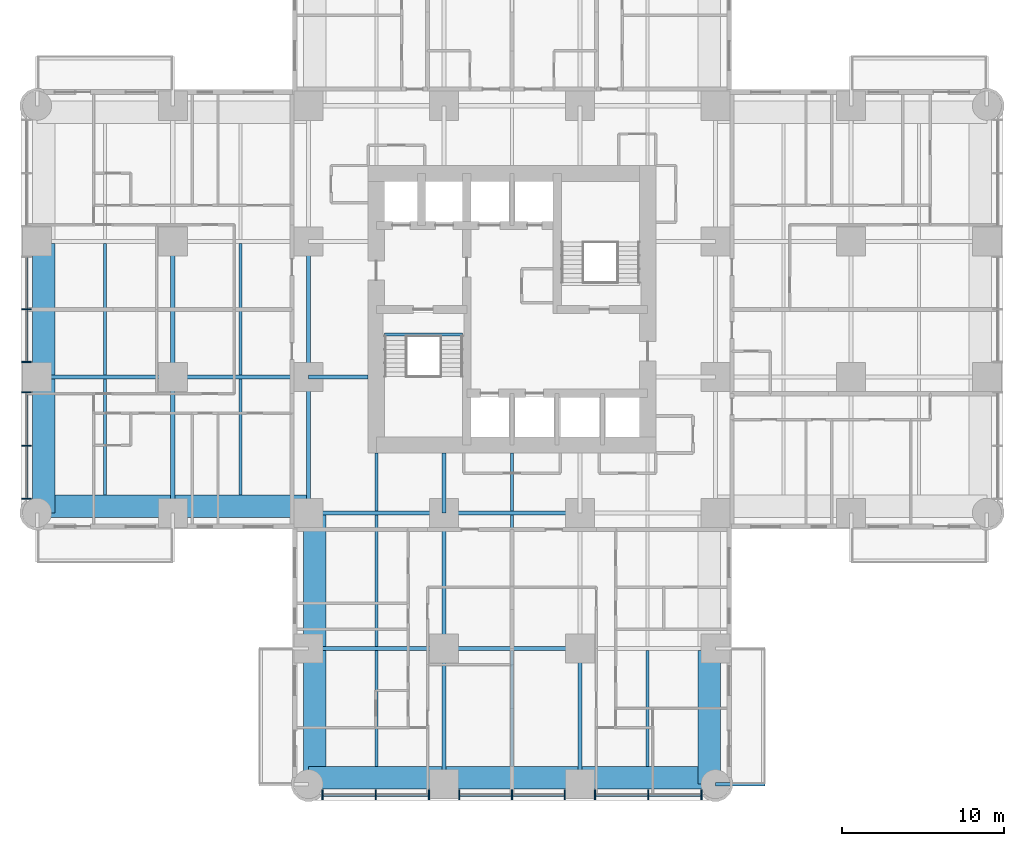
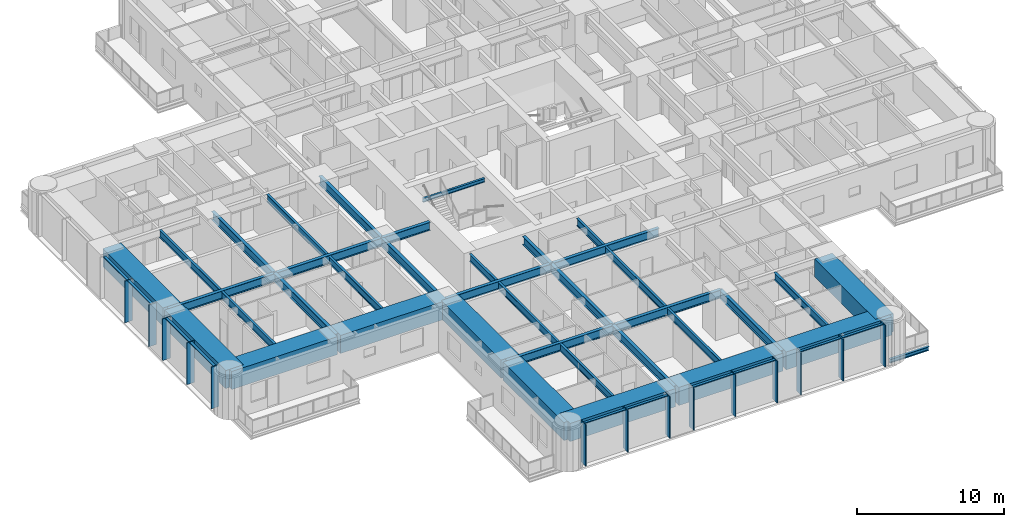
# One storey, part 2 of 17: 38 beams, 24 members, 2 elements without a shape of their own.
"""IFC4 building model written with IfcOpenShell, lengths in metres."""

from ifc_helpers import new_model, si_unit, direction, frame, origin, origin_2d, place, context, subcontext, project, spatial, rectangle, i_section, extrude, material, material_profile, profile_set, type_object, element, aggregate, save


model = new_model("IFC4")

# Units and contexts
model_context = context("Model", 3, precision=1e-05, world=origin(), true_north=direction((0.0, 1.0)))
body_context = subcontext(model_context, "Body", "Model", "MODEL_VIEW")
ifc_project = project(units=[si_unit("LENGTHUNIT", "METRE"), si_unit("AREAUNIT", "SQUARE_METRE"), si_unit("VOLUMEUNIT", "CUBIC_METRE"), si_unit("PLANEANGLEUNIT", "RADIAN"), si_unit("MASSUNIT", "GRAM", prefix="KILO")], contexts=[model_context])

# Site, building, storey
site_placement = place(None, origin())
site = spatial("IfcSite", under=ifc_project, at=site_placement, CompositionType="ELEMENT")
building_placement = place(site_placement, origin())
building = spatial("IfcBuilding", under=site, at=building_placement, Name="Torre Alcanfor", CompositionType="ELEMENT")
storey_placement = place(building_placement, frame((0.0, 0.0, 92.10009765625)))
storey = spatial("IfcBuildingStorey", under=building, at=storey_placement, Name="L23", CompositionType="ELEMENT", Elevation=92.10009765625)

# Beam
ifc_material_1 = material(Name="Steel ASTM A992 Grade 50", Category="steel")
ifc_material_profile_1 = material_profile(ifc_material_1, i_section(OverallWidth=0.205322265625, OverallDepth=0.309814453125, WebThickness=0.00927734375, FlangeThickness=0.016357421875, at=origin_2d()), Name="W12x50")
ifc_profile_set_1 = profile_set([ifc_material_profile_1], Name="Steel ASTM A992 Grade 50")
beam_type_1 = type_object("IfcBeamType", Name="Balcony cantilever beam W12x50", PredefinedType="BEAM", material=ifc_profile_set_1)
beam_1_placement = place(storey_placement, frame((42.0, 0.0, -0.35498046875), z_axis=(1.0, 0.0, 0.0), x_axis=(0.0, 1.0, 0.0)))
element("IfcBeam", 1, at=beam_1_placement, inside=storey, type_object=beam_type_1, Name="Balcony cantilever beam L23-S1 2", PredefinedType="BEAM", context=body_context, shape_type="SweptSolid", body=[
    extrude(i_section(OverallWidth=0.205322265625, OverallDepth=0.309814453125, WebThickness=0.00927734375, FlangeThickness=0.016357421875, at=origin_2d()), origin(), (0.0, 0.0, 1.0), 3.050048828125),
])

# Curtain wall, members
ifc_material_2 = material(Name="Aluminium and glass", Category="aluminium")
curtain_wall_type = type_object("IfcCurtainWallType", Name="CW-A unitised apartment glazing with vertical FIN", PredefinedType="NOTDEFINED", material=ifc_material_2)
curtain_wall_1_placement = place(storey_placement, origin())
curtain_wall_1 = element("IfcCurtainWall", 2, at=curtain_wall_1_placement, inside=storey, type_object=curtain_wall_type, Name="Curtain wall CW-A L23 2", PredefinedType="NOTDEFINED")
ifc_material_3 = material(Name="Bronze anodised aluminium", Category="aluminium")
ifc_material_profile_2 = material_profile(ifc_material_3, rectangle(XDim=0.60009765625, YDim=0.06494140625, at=origin_2d()), Name="CW-A mullion 65x600")
ifc_profile_set_2 = profile_set([ifc_material_profile_2], Name="Bronze anodised aluminium")
member_type_1 = type_object("IfcMemberType", Name="CW-A mullion with vertical FIN 65x600", PredefinedType="MULLION", material=ifc_profile_set_2)
member_1_placement = place(storey_placement, frame((-0.64990234375, 29.39990234375, 0.0), z_axis=(0.0, 0.0, 1.0), x_axis=(1.0, 0.0, 0.0)))
member_1 = element("IfcMember", 3, at=member_1_placement, type_object=member_type_1, Name="CW-A mullion 2.2", PredefinedType="MULLION", context=body_context, shape_type="SweptSolid", body=[
    extrude(rectangle(XDim=0.60009765625, YDim=0.06494140625, at=origin_2d()), origin(), (0.0, 0.0, 1.0), 3.449951171875),
])
member_2_placement = place(storey_placement, frame((-0.64990234375, 26.137451171875, 0.0), z_axis=(0.0, 0.0, 1.0), x_axis=(1.0, 0.0, 0.0)))
member_2 = element("IfcMember", 4, at=member_2_placement, type_object=member_type_1, Name="CW-A mullion 2.3", PredefinedType="MULLION", context=body_context, shape_type="SweptSolid", body=[
    extrude(rectangle(XDim=0.60009765625, YDim=0.06494140625, at=origin_2d()), origin(), (0.0, 0.0, 1.0), 3.449951171875),
])
member_3_placement = place(storey_placement, frame((-0.64990234375, 24.262451171875, 0.0), z_axis=(0.0, 0.0, 1.0), x_axis=(1.0, 0.0, 0.0)))
member_3 = element("IfcMember", 5, at=member_3_placement, type_object=member_type_1, Name="CW-A mullion 3.1", PredefinedType="MULLION", context=body_context, shape_type="SweptSolid", body=[
    extrude(rectangle(XDim=0.60009765625, YDim=0.06494140625, at=origin_2d()), origin(), (0.0, 0.0, 1.0), 3.449951171875),
])
member_4_placement = place(storey_placement, frame((-0.64990234375, 20.96484375, 0.0), z_axis=(0.0, 0.0, 1.0), x_axis=(1.0, 0.0, 0.0)))
member_4 = element("IfcMember", 6, at=member_4_placement, type_object=member_type_1, Name="CW-A mullion 3.2", PredefinedType="MULLION", context=body_context, shape_type="SweptSolid", body=[
    extrude(rectangle(XDim=0.60009765625, YDim=0.06494140625, at=origin_2d()), origin(), (0.0, 0.0, 1.0), 3.449951171875),
])
member_5_placement = place(storey_placement, frame((-0.64990234375, 17.6669921875, 0.0), z_axis=(0.0, 0.0, 1.0), x_axis=(1.0, 0.0, 0.0)))
member_5 = element("IfcMember", 7, at=member_5_placement, type_object=member_type_1, Name="CW-A mullion 3.3", PredefinedType="MULLION", context=body_context, shape_type="SweptSolid", body=[
    extrude(rectangle(XDim=0.60009765625, YDim=0.06494140625, at=origin_2d()), origin(), (0.0, 0.0, 1.0), 3.449951171875),
])

curtain_wall_2_placement = place(storey_placement, origin())
curtain_wall_2 = element("IfcCurtainWall", 8, at=curtain_wall_2_placement, inside=storey, type_object=curtain_wall_type, Name="Curtain wall CW-A L23 5", PredefinedType="NOTDEFINED")
member_6_placement = place(storey_placement, frame((17.6669921875, -0.64990234375, 0.0), z_axis=(0.0, 0.0, 1.0), x_axis=(0.0, 1.0, 0.0)))
member_6 = element("IfcMember", 9, at=member_6_placement, type_object=member_type_1, Name="CW-A mullion 1.1", PredefinedType="MULLION", context=body_context, shape_type="SweptSolid", body=[
    extrude(rectangle(XDim=0.60009765625, YDim=0.06494140625, at=origin_2d()), origin(), (0.0, 0.0, 1.0), 3.449951171875),
])
member_7_placement = place(storey_placement, frame((20.96484375, -0.64990234375, 0.0), z_axis=(0.0, 0.0, 1.0), x_axis=(0.0, 1.0, 0.0)))
member_7 = element("IfcMember", 10, at=member_7_placement, type_object=member_type_1, Name="CW-A mullion 1.2", PredefinedType="MULLION", context=body_context, shape_type="SweptSolid", body=[
    extrude(rectangle(XDim=0.60009765625, YDim=0.06494140625, at=origin_2d()), origin(), (0.0, 0.0, 1.0), 3.449951171875),
])
member_8_placement = place(storey_placement, frame((24.262451171875, -0.64990234375, 0.0), z_axis=(0.0, 0.0, 1.0), x_axis=(0.0, 1.0, 0.0)))
member_8 = element("IfcMember", 11, at=member_8_placement, type_object=member_type_1, Name="CW-A mullion 1.3", PredefinedType="MULLION", context=body_context, shape_type="SweptSolid", body=[
    extrude(rectangle(XDim=0.60009765625, YDim=0.06494140625, at=origin_2d()), origin(), (0.0, 0.0, 1.0), 3.449951171875),
])
member_9_placement = place(storey_placement, frame((26.137451171875, -0.64990234375, 0.0), z_axis=(0.0, 0.0, 1.0), x_axis=(0.0, 1.0, 0.0)))
member_9 = element("IfcMember", 12, at=member_9_placement, type_object=member_type_1, Name="CW-A mullion 2.1", PredefinedType="MULLION", context=body_context, shape_type="SweptSolid", body=[
    extrude(rectangle(XDim=0.60009765625, YDim=0.06494140625, at=origin_2d()), origin(), (0.0, 0.0, 1.0), 3.449951171875),
])
member_10_placement = place(storey_placement, frame((29.39990234375, -0.64990234375, 0.0), z_axis=(0.0, 0.0, 1.0), x_axis=(0.0, 1.0, 0.0)))
member_10 = element("IfcMember", 13, at=member_10_placement, type_object=member_type_1, Name="CW-A mullion 2.2", PredefinedType="MULLION", context=body_context, shape_type="SweptSolid", body=[
    extrude(rectangle(XDim=0.60009765625, YDim=0.06494140625, at=origin_2d()), origin(), (0.0, 0.0, 1.0), 3.449951171875),
])
member_11_placement = place(storey_placement, frame((32.66259765625, -0.64990234375, 0.0), z_axis=(0.0, 0.0, 1.0), x_axis=(0.0, 1.0, 0.0)))
member_11 = element("IfcMember", 14, at=member_11_placement, type_object=member_type_1, Name="CW-A mullion 2.3", PredefinedType="MULLION", context=body_context, shape_type="SweptSolid", body=[
    extrude(rectangle(XDim=0.60009765625, YDim=0.06494140625, at=origin_2d()), origin(), (0.0, 0.0, 1.0), 3.449951171875),
])
member_12_placement = place(storey_placement, frame((34.53759765625, -0.64990234375, 0.0), z_axis=(0.0, 0.0, 1.0), x_axis=(0.0, 1.0, 0.0)))
member_12 = element("IfcMember", 15, at=member_12_placement, type_object=member_type_1, Name="CW-A mullion 3.1", PredefinedType="MULLION", context=body_context, shape_type="SweptSolid", body=[
    extrude(rectangle(XDim=0.60009765625, YDim=0.06494140625, at=origin_2d()), origin(), (0.0, 0.0, 1.0), 3.449951171875),
])
member_13_placement = place(storey_placement, frame((37.835205078125, -0.64990234375, 0.0), z_axis=(0.0, 0.0, 1.0), x_axis=(0.0, 1.0, 0.0)))
member_13 = element("IfcMember", 16, at=member_13_placement, type_object=member_type_1, Name="CW-A mullion 3.2", PredefinedType="MULLION", context=body_context, shape_type="SweptSolid", body=[
    extrude(rectangle(XDim=0.60009765625, YDim=0.06494140625, at=origin_2d()), origin(), (0.0, 0.0, 1.0), 3.449951171875),
])
member_14_placement = place(storey_placement, frame((41.133056640625, -0.64990234375, 0.0), z_axis=(0.0, 0.0, 1.0), x_axis=(0.0, 1.0, 0.0)))
member_14 = element("IfcMember", 17, at=member_14_placement, type_object=member_type_1, Name="CW-A mullion 3.3", PredefinedType="MULLION", context=body_context, shape_type="SweptSolid", body=[
    extrude(rectangle(XDim=0.60009765625, YDim=0.06494140625, at=origin_2d()), origin(), (0.0, 0.0, 1.0), 3.449951171875),
])

# Member
ifc_material_4 = material(Name="Extruded aluminium", Category="aluminium")
ifc_material_profile_3 = material_profile(ifc_material_4, rectangle(XDim=0.199951171875, YDim=0.06494140625, at=origin_2d()), Name="CW-A transom 200x65")
ifc_profile_set_3 = profile_set([ifc_material_profile_3], Name="Extruded aluminium")
member_type_2 = type_object("IfcMemberType", Name="CW-A transom 65x200", PredefinedType="USERDEFINED", material=ifc_profile_set_3)
member_15_placement = place(storey_placement, frame((-0.64990234375, 32.6298828125, 3.41748046875), z_axis=(0.0, -1.0, 0.0), x_axis=(1.0, 0.0, 0.0)))
member_15 = element("IfcMember", 18, at=member_15_placement, type_object=member_type_2, Name="CW-A transom 2.1.2", ObjectType="TRANSOM", PredefinedType="USERDEFINED", context=body_context, shape_type="SweptSolid", body=[
    extrude(rectangle(XDim=0.199951171875, YDim=0.06494140625, at=origin_2d()), origin(), (0.0, 0.0, 1.0), 3.197265625),
])

member_16_placement = place(storey_placement, frame((-0.64990234375, 29.367431640625, 3.41748046875), z_axis=(0.0, -1.0, 0.0), x_axis=(1.0, 0.0, 0.0)))
member_16 = element("IfcMember", 19, at=member_16_placement, type_object=member_type_2, Name="CW-A transom 2.2.2", ObjectType="TRANSOM", PredefinedType="USERDEFINED", context=body_context, shape_type="SweptSolid", body=[
    extrude(rectangle(XDim=0.199951171875, YDim=0.06494140625, at=origin_2d()), origin(), (0.0, 0.0, 1.0), 3.197509765625),
])

member_17_placement = place(storey_placement, frame((-0.64990234375, 24.22998046875, 3.41748046875), z_axis=(0.0, -1.0, 0.0), x_axis=(1.0, 0.0, 0.0)))
member_17 = element("IfcMember", 20, at=member_17_placement, type_object=member_type_2, Name="CW-A transom 3.1.2", ObjectType="TRANSOM", PredefinedType="USERDEFINED", context=body_context, shape_type="SweptSolid", body=[
    extrude(rectangle(XDim=0.199951171875, YDim=0.06494140625, at=origin_2d()), origin(), (0.0, 0.0, 1.0), 3.232666015625),
])

member_18_placement = place(storey_placement, frame((-0.64990234375, 20.93212890625, 3.41748046875), z_axis=(0.0, -1.0, 0.0), x_axis=(1.0, 0.0, 0.0)))
member_18 = element("IfcMember", 21, at=member_18_placement, type_object=member_type_2, Name="CW-A transom 3.2.2", ObjectType="TRANSOM", PredefinedType="USERDEFINED", context=body_context, shape_type="SweptSolid", body=[
    extrude(rectangle(XDim=0.199951171875, YDim=0.06494140625, at=origin_2d()), origin(), (0.0, 0.0, 1.0), 3.232666015625),
])

aggregate(curtain_wall_1, [member_1, member_2, member_15, member_16, member_3, member_4, member_5, member_17, member_18])

member_19_placement = place(storey_placement, frame((17.699462890625, -0.64990234375, 3.41748046875), z_axis=(1.0, 0.0, 0.0), x_axis=(0.0, 1.0, 0.0)))
member_19 = element("IfcMember", 22, at=member_19_placement, type_object=member_type_2, Name="CW-A transom 1.1.2", ObjectType="TRANSOM", PredefinedType="USERDEFINED", context=body_context, shape_type="SweptSolid", body=[
    extrude(rectangle(XDim=0.199951171875, YDim=0.06494140625, at=origin_2d()), origin(), (0.0, 0.0, 1.0), 3.232666015625),
])

member_20_placement = place(storey_placement, frame((20.997314453125, -0.64990234375, 3.41748046875), z_axis=(1.0, 0.0, 0.0), x_axis=(0.0, 1.0, 0.0)))
member_20 = element("IfcMember", 23, at=member_20_placement, type_object=member_type_2, Name="CW-A transom 1.2.2", ObjectType="TRANSOM", PredefinedType="USERDEFINED", context=body_context, shape_type="SweptSolid", body=[
    extrude(rectangle(XDim=0.199951171875, YDim=0.06494140625, at=origin_2d()), origin(), (0.0, 0.0, 1.0), 3.232666015625),
])

member_21_placement = place(storey_placement, frame((26.169921875, -0.64990234375, 3.41748046875), z_axis=(1.0, 0.0, 0.0), x_axis=(0.0, 1.0, 0.0)))
member_21 = element("IfcMember", 24, at=member_21_placement, type_object=member_type_2, Name="CW-A transom 2.1.2", ObjectType="TRANSOM", PredefinedType="USERDEFINED", context=body_context, shape_type="SweptSolid", body=[
    extrude(rectangle(XDim=0.199951171875, YDim=0.06494140625, at=origin_2d()), origin(), (0.0, 0.0, 1.0), 3.197509765625),
])

member_22_placement = place(storey_placement, frame((29.4326171875, -0.64990234375, 3.41748046875), z_axis=(1.0, 0.0, 0.0), x_axis=(0.0, 1.0, 0.0)))
member_22 = element("IfcMember", 25, at=member_22_placement, type_object=member_type_2, Name="CW-A transom 2.2.2", ObjectType="TRANSOM", PredefinedType="USERDEFINED", context=body_context, shape_type="SweptSolid", body=[
    extrude(rectangle(XDim=0.199951171875, YDim=0.06494140625, at=origin_2d()), origin(), (0.0, 0.0, 1.0), 3.197265625),
])

member_23_placement = place(storey_placement, frame((34.570068359375, -0.64990234375, 3.41748046875), z_axis=(1.0, 0.0, 0.0), x_axis=(0.0, 1.0, 0.0)))
member_23 = element("IfcMember", 26, at=member_23_placement, type_object=member_type_2, Name="CW-A transom 3.1.2", ObjectType="TRANSOM", PredefinedType="USERDEFINED", context=body_context, shape_type="SweptSolid", body=[
    extrude(rectangle(XDim=0.199951171875, YDim=0.06494140625, at=origin_2d()), origin(), (0.0, 0.0, 1.0), 3.232666015625),
])

member_24_placement = place(storey_placement, frame((37.86767578125, -0.64990234375, 3.41748046875), z_axis=(1.0, 0.0, 0.0), x_axis=(0.0, 1.0, 0.0)))
member_24 = element("IfcMember", 27, at=member_24_placement, type_object=member_type_2, Name="CW-A transom 3.2.2", ObjectType="TRANSOM", PredefinedType="USERDEFINED", context=body_context, shape_type="SweptSolid", body=[
    extrude(rectangle(XDim=0.199951171875, YDim=0.06494140625, at=origin_2d()), origin(), (0.0, 0.0, 1.0), 3.23291015625),
])

aggregate(curtain_wall_2, [member_6, member_7, member_8, member_19, member_20, member_9, member_10, member_11, member_21, member_22, member_12, member_13, member_14, member_23, member_24])

# Beams
ifc_material_5 = material(Name="Steel ASTM A992 Grade 50", Category="steel")
ifc_material_profile_4 = material_profile(ifc_material_5, i_section(OverallWidth=0.25390625, OverallDepth=0.683349609375, WebThickness=0.012451171875, FlangeThickness=0.01904296875, at=origin_2d()), Name="W27x94")
ifc_profile_set_4 = profile_set([ifc_material_profile_4], Name="Steel ASTM A992 Grade 50")
beam_type_2 = type_object("IfcBeamType", Name="Girder W27x94", PredefinedType="BEAM", material=ifc_profile_set_4)
beam_2_placement = place(storey_placement, frame((16.800048828125, 8.39990234375, 3.108154296875), z_axis=(1.0, 0.0, 0.0), x_axis=(0.0, 1.0, 0.0)))
element("IfcBeam", 28, at=beam_2_placement, inside=storey, type_object=beam_type_2, Name="Beam 3D-4D under L24", PredefinedType="BEAM", context=body_context, shape_type="SweptSolid", body=[
    extrude(i_section(OverallWidth=0.25390625, OverallDepth=0.683349609375, WebThickness=0.012451171875, FlangeThickness=0.01904296875, at=origin_2d()), origin(), (0.0, 0.0, 1.0), 8.39990234375),
])
beam_3_placement = place(storey_placement, frame((25.199951171875, 8.39990234375, 3.108154296875), z_axis=(1.0, 0.0, 0.0), x_axis=(0.0, 1.0, 0.0)))
element("IfcBeam", 29, at=beam_3_placement, inside=storey, type_object=beam_type_2, Name="Beam 4D-5D under L24", PredefinedType="BEAM", context=body_context, shape_type="SweptSolid", body=[
    extrude(i_section(OverallWidth=0.25390625, OverallDepth=0.683349609375, WebThickness=0.012451171875, FlangeThickness=0.01904296875, at=origin_2d()), origin(), (0.0, 0.0, 1.0), 8.400146484375),
])
beam_4_placement = place(storey_placement, frame((16.800048828125, 16.800048828125, 3.108154296875), z_axis=(1.0, 0.0, 0.0), x_axis=(0.0, 1.0, 0.0)))
element("IfcBeam", 30, at=beam_4_placement, inside=storey, type_object=beam_type_2, Name="Beam 3E-4E under L24", PredefinedType="BEAM", context=body_context, shape_type="SweptSolid", body=[
    extrude(i_section(OverallWidth=0.25390625, OverallDepth=0.683349609375, WebThickness=0.012451171875, FlangeThickness=0.01904296875, at=origin_2d()), origin(), (0.0, 0.0, 1.0), 8.39990234375),
])
beam_5_placement = place(storey_placement, frame((25.199951171875, 16.800048828125, 3.108154296875), z_axis=(1.0, 0.0, 0.0), x_axis=(0.0, 1.0, 0.0)))
element("IfcBeam", 31, at=beam_5_placement, inside=storey, type_object=beam_type_2, Name="Beam 4E-5E under L24", PredefinedType="BEAM", context=body_context, shape_type="SweptSolid", body=[
    extrude(i_section(OverallWidth=0.25390625, OverallDepth=0.683349609375, WebThickness=0.012451171875, FlangeThickness=0.01904296875, at=origin_2d()), origin(), (0.0, 0.0, 1.0), 8.400146484375),
])
beam_6_placement = place(storey_placement, frame((0.0, 25.199951171875, 3.108154296875), z_axis=(1.0, 0.0, 0.0), x_axis=(0.0, 1.0, 0.0)))
element("IfcBeam", 32, at=beam_6_placement, inside=storey, type_object=beam_type_2, Name="Beam 1F-2F under L24", PredefinedType="BEAM", context=body_context, shape_type="SweptSolid", body=[
    extrude(i_section(OverallWidth=0.25390625, OverallDepth=0.683349609375, WebThickness=0.012451171875, FlangeThickness=0.01904296875, at=origin_2d()), origin(), (0.0, 0.0, 1.0), 8.39990234375),
])
beam_7_placement = place(storey_placement, frame((8.39990234375, 25.199951171875, 3.108154296875), z_axis=(1.0, 0.0, 0.0), x_axis=(0.0, 1.0, 0.0)))
element("IfcBeam", 33, at=beam_7_placement, inside=storey, type_object=beam_type_2, Name="Beam 2F-3F under L24", PredefinedType="BEAM", context=body_context, shape_type="SweptSolid", body=[
    extrude(i_section(OverallWidth=0.25390625, OverallDepth=0.683349609375, WebThickness=0.012451171875, FlangeThickness=0.01904296875, at=origin_2d()), origin(), (0.0, 0.0, 1.0), 8.400146484375),
])
beam_8_placement = place(storey_placement, frame((8.39990234375, 16.800048828125, 3.108154296875), z_axis=(0.0, 1.0, 0.0), x_axis=(-1.0, 0.0, 0.0)))
element("IfcBeam", 34, at=beam_8_placement, inside=storey, type_object=beam_type_2, Name="Beam 2E-2F under L24", PredefinedType="BEAM", context=body_context, shape_type="SweptSolid", body=[
    extrude(i_section(OverallWidth=0.25390625, OverallDepth=0.683349609375, WebThickness=0.012451171875, FlangeThickness=0.01904296875, at=origin_2d()), origin(), (0.0, 0.0, 1.0), 8.39990234375),
])
beam_9_placement = place(storey_placement, frame((8.39990234375, 25.199951171875, 3.108154296875), z_axis=(0.0, 1.0, 0.0), x_axis=(-1.0, 0.0, 0.0)))
element("IfcBeam", 35, at=beam_9_placement, inside=storey, type_object=beam_type_2, Name="Beam 2F-2G under L24", PredefinedType="BEAM", context=body_context, shape_type="SweptSolid", body=[
    extrude(i_section(OverallWidth=0.25390625, OverallDepth=0.683349609375, WebThickness=0.012451171875, FlangeThickness=0.01904296875, at=origin_2d()), origin(), (0.0, 0.0, 1.0), 8.400146484375),
])
beam_10_placement = place(storey_placement, frame((16.800048828125, 16.800048828125, 3.108154296875), z_axis=(0.0, 1.0, 0.0), x_axis=(-1.0, 0.0, 0.0)))
element("IfcBeam", 36, at=beam_10_placement, inside=storey, type_object=beam_type_2, Name="Beam 3E-3F under L24", PredefinedType="BEAM", context=body_context, shape_type="SweptSolid", body=[
    extrude(i_section(OverallWidth=0.25390625, OverallDepth=0.683349609375, WebThickness=0.012451171875, FlangeThickness=0.01904296875, at=origin_2d()), origin(), (0.0, 0.0, 1.0), 8.39990234375),
])
beam_11_placement = place(storey_placement, frame((16.800048828125, 25.199951171875, 3.108154296875), z_axis=(0.0, 1.0, 0.0), x_axis=(-1.0, 0.0, 0.0)))
element("IfcBeam", 37, at=beam_11_placement, inside=storey, type_object=beam_type_2, Name="Beam 3F-3G under L24", PredefinedType="BEAM", context=body_context, shape_type="SweptSolid", body=[
    extrude(i_section(OverallWidth=0.25390625, OverallDepth=0.683349609375, WebThickness=0.012451171875, FlangeThickness=0.01904296875, at=origin_2d()), origin(), (0.0, 0.0, 1.0), 8.400146484375),
])
beam_12_placement = place(storey_placement, frame((25.199951171875, 0.0, 3.108154296875), z_axis=(0.0, 1.0, 0.0), x_axis=(-1.0, 0.0, 0.0)))
element("IfcBeam", 38, at=beam_12_placement, inside=storey, type_object=beam_type_2, Name="Beam 4C-4D under L24", PredefinedType="BEAM", context=body_context, shape_type="SweptSolid", body=[
    extrude(i_section(OverallWidth=0.25390625, OverallDepth=0.683349609375, WebThickness=0.012451171875, FlangeThickness=0.01904296875, at=origin_2d()), origin(), (0.0, 0.0, 1.0), 8.39990234375),
])
beam_13_placement = place(storey_placement, frame((25.199951171875, 8.39990234375, 3.108154296875), z_axis=(0.0, 1.0, 0.0), x_axis=(-1.0, 0.0, 0.0)))
element("IfcBeam", 39, at=beam_13_placement, inside=storey, type_object=beam_type_2, Name="Beam 4D-4E under L24", PredefinedType="BEAM", context=body_context, shape_type="SweptSolid", body=[
    extrude(i_section(OverallWidth=0.25390625, OverallDepth=0.683349609375, WebThickness=0.012451171875, FlangeThickness=0.01904296875, at=origin_2d()), origin(), (0.0, 0.0, 1.0), 8.400146484375),
])
beam_14_placement = place(storey_placement, frame((33.60009765625, 0.0, 3.108154296875), z_axis=(0.0, 1.0, 0.0), x_axis=(-1.0, 0.0, 0.0)))
element("IfcBeam", 40, at=beam_14_placement, inside=storey, type_object=beam_type_2, Name="Beam 5C-5D under L24", PredefinedType="BEAM", context=body_context, shape_type="SweptSolid", body=[
    extrude(i_section(OverallWidth=0.25390625, OverallDepth=0.683349609375, WebThickness=0.012451171875, FlangeThickness=0.01904296875, at=origin_2d()), origin(), (0.0, 0.0, 1.0), 8.39990234375),
])
ifc_material_6 = material(Name="Steel ASTM A992 Grade 50", Category="steel")
ifc_material_profile_5 = material_profile(ifc_material_6, i_section(OverallWidth=0.25390625, OverallDepth=0.683349609375, WebThickness=0.012451171875, FlangeThickness=0.01904296875, at=origin_2d()), Name="W27x94")
ifc_profile_set_5 = profile_set([ifc_material_profile_5], Name="Steel ASTM A992 Grade 50")
beam_type_3 = type_object("IfcBeamType", Name="Girder, part bay W27x94", PredefinedType="BEAM", material=ifc_profile_set_5)
for number, where, z_axis, x_axis, name in (
    (41, (25.199951171875, 16.800048828125, 3.108154296875), (0.0, 1.0, 0.0), (-1.0, 0.0, 0.0), "Beam 4E-420_5 under L24"),
    (42, (16.800048828125, 25.199951171875, 3.108154296875), (1.0, 0.0, 0.0), (0.0, 1.0, 0.0), "Beam 3F-20_5F under L24"),
):
    element("IfcBeam", number, at=place(storey_placement, frame(where, z_axis=z_axis, x_axis=x_axis)), inside=storey, type_object=beam_type_3, Name=name, PredefinedType="BEAM", context=body_context, shape_type="SweptSolid", body=[
        extrude(i_section(OverallWidth=0.25390625, OverallDepth=0.683349609375, WebThickness=0.012451171875, FlangeThickness=0.01904296875, at=origin_2d()), origin(), (0.0, 0.0, 1.0), 3.699951171875),
    ])
ifc_material_7 = material(Name="Concrete f'c 70 MPa", Category="concrete")
ifc_material_profile_6 = material_profile(ifc_material_7, rectangle(XDim=1.39990234375, YDim=1.5, at=origin_2d()), Name="1400x1500")
ifc_profile_set_6 = profile_set([ifc_material_profile_6], Name="Concrete f'c 70 MPa")
beam_type_4 = type_object("IfcBeamType", Name="RC perimeter beam 1400x1500", PredefinedType="BEAM", material=ifc_profile_set_6)
beam_15_placement = place(storey_placement, frame((16.800048828125, 0.39990234375, 2.699951171875), z_axis=(1.0, 0.0, 0.0), x_axis=(0.0, 1.0, 0.0)))
element("IfcBeam", 43, at=beam_15_placement, inside=storey, type_object=beam_type_4, Name="Beam 3C-4C under L24", PredefinedType="BEAM", context=body_context, shape_type="SweptSolid", body=[
    extrude(rectangle(XDim=1.39990234375, YDim=1.5, at=origin_2d()), origin(), (0.0, 0.0, 1.0), 8.27294921875),
])
beam_16_placement = place(storey_placement, frame((25.326904296875, 0.39990234375, 2.699951171875), z_axis=(1.0, 0.0, 0.0), x_axis=(0.0, 1.0, 0.0)))
element("IfcBeam", 44, at=beam_16_placement, inside=storey, type_object=beam_type_4, Name="Beam 4C-5C under L24", PredefinedType="BEAM", context=body_context, shape_type="SweptSolid", body=[
    extrude(rectangle(XDim=1.39990234375, YDim=1.5, at=origin_2d()), origin(), (0.0, 0.0, 1.0), 8.14599609375),
])
for number, where, z_axis, x_axis, name in (
    (45, (33.72705078125, 0.39990234375, 2.699951171875), (1.0, 0.0, 0.0), (0.0, 1.0, 0.0), "Beam 5C-6C under L24"),
    (46, (0.0, 17.199951171875, 2.699951171875), (1.0, 0.0, 0.0), (0.0, 1.0, 0.0), "Beam 1E-2E under L24"),
):
    element("IfcBeam", number, at=place(storey_placement, frame(where, z_axis=z_axis, x_axis=x_axis)), inside=storey, type_object=beam_type_4, Name=name, PredefinedType="BEAM", context=body_context, shape_type="SweptSolid", body=[
        extrude(rectangle(XDim=1.39990234375, YDim=1.5, at=origin_2d()), origin(), (0.0, 0.0, 1.0), 8.27294921875),
    ])
beam_17_placement = place(storey_placement, frame((8.527099609375, 17.199951171875, 2.699951171875), z_axis=(1.0, 0.0, 0.0), x_axis=(0.0, 1.0, 0.0)))
element("IfcBeam", 47, at=beam_17_placement, inside=storey, type_object=beam_type_4, Name="Beam 2E-3E under L24", PredefinedType="BEAM", context=body_context, shape_type="SweptSolid", body=[
    extrude(rectangle(XDim=1.39990234375, YDim=1.5, at=origin_2d()), origin(), (0.0, 0.0, 1.0), 8.39990234375),
])
beam_18_placement = place(storey_placement, frame((0.39990234375, 16.800048828125, 2.699951171875), z_axis=(0.0, 1.0, 0.0), x_axis=(-1.0, 0.0, 0.0)))
element("IfcBeam", 48, at=beam_18_placement, inside=storey, type_object=beam_type_4, Name="Beam 1E-1F under L24", PredefinedType="BEAM", context=body_context, shape_type="SweptSolid", body=[
    extrude(rectangle(XDim=1.39990234375, YDim=1.5, at=origin_2d()), origin(), (0.0, 0.0, 1.0), 8.27294921875),
])
beam_19_placement = place(storey_placement, frame((0.39990234375, 25.326904296875, 2.699951171875), z_axis=(0.0, 1.0, 0.0), x_axis=(-1.0, 0.0, 0.0)))
element("IfcBeam", 49, at=beam_19_placement, inside=storey, type_object=beam_type_4, Name="Beam 1F-1G under L24", PredefinedType="BEAM", context=body_context, shape_type="SweptSolid", body=[
    extrude(rectangle(XDim=1.39990234375, YDim=1.5, at=origin_2d()), origin(), (0.0, 0.0, 1.0), 8.14599609375),
])
beam_20_placement = place(storey_placement, frame((17.199951171875, 0.0, 2.699951171875), z_axis=(0.0, 1.0, 0.0), x_axis=(-1.0, 0.0, 0.0)))
element("IfcBeam", 50, at=beam_20_placement, inside=storey, type_object=beam_type_4, Name="Beam 3C-3D under L24", PredefinedType="BEAM", context=body_context, shape_type="SweptSolid", body=[
    extrude(rectangle(XDim=1.39990234375, YDim=1.5, at=origin_2d()), origin(), (0.0, 0.0, 1.0), 8.27294921875),
])
beam_21_placement = place(storey_placement, frame((17.199951171875, 8.527099609375, 2.699951171875), z_axis=(0.0, 1.0, 0.0), x_axis=(-1.0, 0.0, 0.0)))
element("IfcBeam", 51, at=beam_21_placement, inside=storey, type_object=beam_type_4, Name="Beam 3D-3E under L24", PredefinedType="BEAM", context=body_context, shape_type="SweptSolid", body=[
    extrude(rectangle(XDim=1.39990234375, YDim=1.5, at=origin_2d()), origin(), (0.0, 0.0, 1.0), 8.14599609375),
])
beam_22_placement = place(storey_placement, frame((41.60009765625, 0.0, 2.699951171875), z_axis=(0.0, 1.0, 0.0), x_axis=(-1.0, 0.0, 0.0)))
element("IfcBeam", 52, at=beam_22_placement, inside=storey, type_object=beam_type_4, Name="Beam 6C-6D under L24", PredefinedType="BEAM", context=body_context, shape_type="SweptSolid", body=[
    extrude(rectangle(XDim=1.39990234375, YDim=1.5, at=origin_2d()), origin(), (0.0, 0.0, 1.0), 8.27294921875),
])
ifc_material_8 = material(Name="Steel ASTM A992 Grade 50", Category="steel")
ifc_material_profile_7 = material_profile(ifc_material_8, i_section(OverallWidth=0.1787109375, OverallDepth=0.60205078125, WebThickness=0.010986328125, FlangeThickness=0.014892578125, at=origin_2d()), Name="W24x62")
ifc_profile_set_7 = profile_set([ifc_material_profile_7], Name="Steel ASTM A992 Grade 50")
beam_type_5 = type_object("IfcBeamType", Name="Secondary beam W24x62", PredefinedType="BEAM", material=ifc_profile_set_7)
beam_23_placement = place(storey_placement, frame((4.199951171875, 17.89990234375, 3.14892578125), z_axis=(0.0, 1.0, 0.0), x_axis=(-1.0, 0.0, 0.0)))
element("IfcBeam", 53, at=beam_23_placement, inside=storey, type_object=beam_type_5, Name="Beam 4_2E-4_2F under L24", PredefinedType="BEAM", context=body_context, shape_type="SweptSolid", body=[
    extrude(i_section(OverallWidth=0.1787109375, OverallDepth=0.60205078125, WebThickness=0.010986328125, FlangeThickness=0.014892578125, at=origin_2d()), origin(), (0.0, 0.0, 1.0), 7.173095703125),
])
beam_24_placement = place(storey_placement, frame((4.199951171875, 25.326904296875, 3.14892578125), z_axis=(0.0, 1.0, 0.0), x_axis=(-1.0, 0.0, 0.0)))
element("IfcBeam", 54, at=beam_24_placement, inside=storey, type_object=beam_type_5, Name="Beam 4_2F-4_2G under L24", PredefinedType="BEAM", context=body_context, shape_type="SweptSolid", body=[
    extrude(i_section(OverallWidth=0.1787109375, OverallDepth=0.60205078125, WebThickness=0.010986328125, FlangeThickness=0.014892578125, at=origin_2d()), origin(), (0.0, 0.0, 1.0), 8.14599609375),
])
beam_25_placement = place(storey_placement, frame((12.60009765625, 17.89990234375, 3.14892578125), z_axis=(0.0, 1.0, 0.0), x_axis=(-1.0, 0.0, 0.0)))
element("IfcBeam", 55, at=beam_25_placement, inside=storey, type_object=beam_type_5, Name="Beam 12_6E-12_6F under L24", PredefinedType="BEAM", context=body_context, shape_type="SweptSolid", body=[
    extrude(i_section(OverallWidth=0.1787109375, OverallDepth=0.60205078125, WebThickness=0.010986328125, FlangeThickness=0.014892578125, at=origin_2d()), origin(), (0.0, 0.0, 1.0), 7.173095703125),
])
beam_26_placement = place(storey_placement, frame((12.60009765625, 25.326904296875, 3.14892578125), z_axis=(0.0, 1.0, 0.0), x_axis=(-1.0, 0.0, 0.0)))
element("IfcBeam", 56, at=beam_26_placement, inside=storey, type_object=beam_type_5, Name="Beam 12_6F-12_6G under L24", PredefinedType="BEAM", context=body_context, shape_type="SweptSolid", body=[
    extrude(i_section(OverallWidth=0.1787109375, OverallDepth=0.60205078125, WebThickness=0.010986328125, FlangeThickness=0.014892578125, at=origin_2d()), origin(), (0.0, 0.0, 1.0), 8.14599609375),
])
beam_27_placement = place(storey_placement, frame((21.0, 1.10009765625, 3.14892578125), z_axis=(0.0, 1.0, 0.0), x_axis=(-1.0, 0.0, 0.0)))
element("IfcBeam", 57, at=beam_27_placement, inside=storey, type_object=beam_type_5, Name="Beam 21C-21D under L24", PredefinedType="BEAM", context=body_context, shape_type="SweptSolid", body=[
    extrude(i_section(OverallWidth=0.1787109375, OverallDepth=0.60205078125, WebThickness=0.010986328125, FlangeThickness=0.014892578125, at=origin_2d()), origin(), (0.0, 0.0, 1.0), 7.1728515625),
])
beam_28_placement = place(storey_placement, frame((21.0, 8.527099609375, 3.14892578125), z_axis=(0.0, 1.0, 0.0), x_axis=(-1.0, 0.0, 0.0)))
element("IfcBeam", 58, at=beam_28_placement, inside=storey, type_object=beam_type_5, Name="Beam 21D-21E under L24", PredefinedType="BEAM", context=body_context, shape_type="SweptSolid", body=[
    extrude(i_section(OverallWidth=0.1787109375, OverallDepth=0.60205078125, WebThickness=0.010986328125, FlangeThickness=0.014892578125, at=origin_2d()), origin(), (0.0, 0.0, 1.0), 8.14599609375),
])
beam_29_placement = place(storey_placement, frame((29.39990234375, 1.10009765625, 3.14892578125), z_axis=(0.0, 1.0, 0.0), x_axis=(-1.0, 0.0, 0.0)))
element("IfcBeam", 59, at=beam_29_placement, inside=storey, type_object=beam_type_5, Name="Beam 29_4C-29_4D under L24", PredefinedType="BEAM", context=body_context, shape_type="SweptSolid", body=[
    extrude(i_section(OverallWidth=0.1787109375, OverallDepth=0.60205078125, WebThickness=0.010986328125, FlangeThickness=0.014892578125, at=origin_2d()), origin(), (0.0, 0.0, 1.0), 7.1728515625),
])
beam_30_placement = place(storey_placement, frame((29.39990234375, 8.527099609375, 3.14892578125), z_axis=(0.0, 1.0, 0.0), x_axis=(-1.0, 0.0, 0.0)))
element("IfcBeam", 60, at=beam_30_placement, inside=storey, type_object=beam_type_5, Name="Beam 29_4D-29_4E under L24", PredefinedType="BEAM", context=body_context, shape_type="SweptSolid", body=[
    extrude(i_section(OverallWidth=0.1787109375, OverallDepth=0.60205078125, WebThickness=0.010986328125, FlangeThickness=0.014892578125, at=origin_2d()), origin(), (0.0, 0.0, 1.0), 8.14599609375),
])
beam_31_placement = place(storey_placement, frame((37.800048828125, 1.10009765625, 3.14892578125), z_axis=(0.0, 1.0, 0.0), x_axis=(-1.0, 0.0, 0.0)))
element("IfcBeam", 61, at=beam_31_placement, inside=storey, type_object=beam_type_5, Name="Beam 37_8C-37_8D under L24", PredefinedType="BEAM", context=body_context, shape_type="SweptSolid", body=[
    extrude(i_section(OverallWidth=0.1787109375, OverallDepth=0.60205078125, WebThickness=0.010986328125, FlangeThickness=0.014892578125, at=origin_2d()), origin(), (0.0, 0.0, 1.0), 7.1728515625),
])
ifc_material_9 = material(Name="Steel ASTM A992 Grade 50", Category="steel")
ifc_material_profile_8 = material_profile(ifc_material_9, i_section(OverallWidth=0.1787109375, OverallDepth=0.60205078125, WebThickness=0.010986328125, FlangeThickness=0.014892578125, at=origin_2d()), Name="W24x62")
ifc_profile_set_8 = profile_set([ifc_material_profile_8], Name="Steel ASTM A992 Grade 50")
beam_type_6 = type_object("IfcBeamType", Name="Secondary beam, part bay W24x62", PredefinedType="BEAM", material=ifc_profile_set_8)
for number, where, z_axis, x_axis, name in (
    (62, (21.0, 16.927001953125, 3.14892578125), (0.0, 1.0, 0.0), (-1.0, 0.0, 0.0), "Beam 21E-2120_5 under L24"),
    (63, (29.39990234375, 16.927001953125, 3.14892578125), (0.0, 1.0, 0.0), (-1.0, 0.0, 0.0), "Beam 29_4E-29_420_5 under L24"),
):
    element("IfcBeam", number, at=place(storey_placement, frame(where, z_axis=z_axis, x_axis=x_axis)), inside=storey, type_object=beam_type_6, Name=name, PredefinedType="BEAM", context=body_context, shape_type="SweptSolid", body=[
        extrude(i_section(OverallWidth=0.1787109375, OverallDepth=0.60205078125, WebThickness=0.010986328125, FlangeThickness=0.014892578125, at=origin_2d()), origin(), (0.0, 0.0, 1.0), 3.572998046875),
    ])
ifc_material_10 = material(Name="Steel ASTM A992 Grade 50", Category="steel")
ifc_material_profile_9 = material_profile(ifc_material_10, i_section(OverallWidth=0.164794921875, OverallDepth=0.309814453125, WebThickness=0.005859375, FlangeThickness=0.009765625, at=origin_2d()), Name="W12x26")
ifc_profile_set_9 = profile_set([ifc_material_profile_9], Name="Steel ASTM A992 Grade 50")
beam_type_7 = type_object("IfcBeamType", Name="Stair landing beam W12x26", PredefinedType="BEAM", material=ifc_profile_set_9)
beam_32_placement = place(storey_placement, frame((21.5, 27.83740234375, 3.244873046875), z_axis=(1.0, 0.0, 0.0), x_axis=(0.0, 1.0, 0.0)))
element("IfcBeam", 64, at=beam_32_placement, inside=storey, type_object=beam_type_7, Name="Landing trimmer S1 L24", PredefinedType="BEAM", context=body_context, shape_type="SweptSolid", body=[
    extrude(i_section(OverallWidth=0.164794921875, OverallDepth=0.309814453125, WebThickness=0.005859375, FlangeThickness=0.009765625, at=origin_2d()), origin(), (0.0, 0.0, 1.0), 4.85009765625),
])

save(model, "model.ifc")
